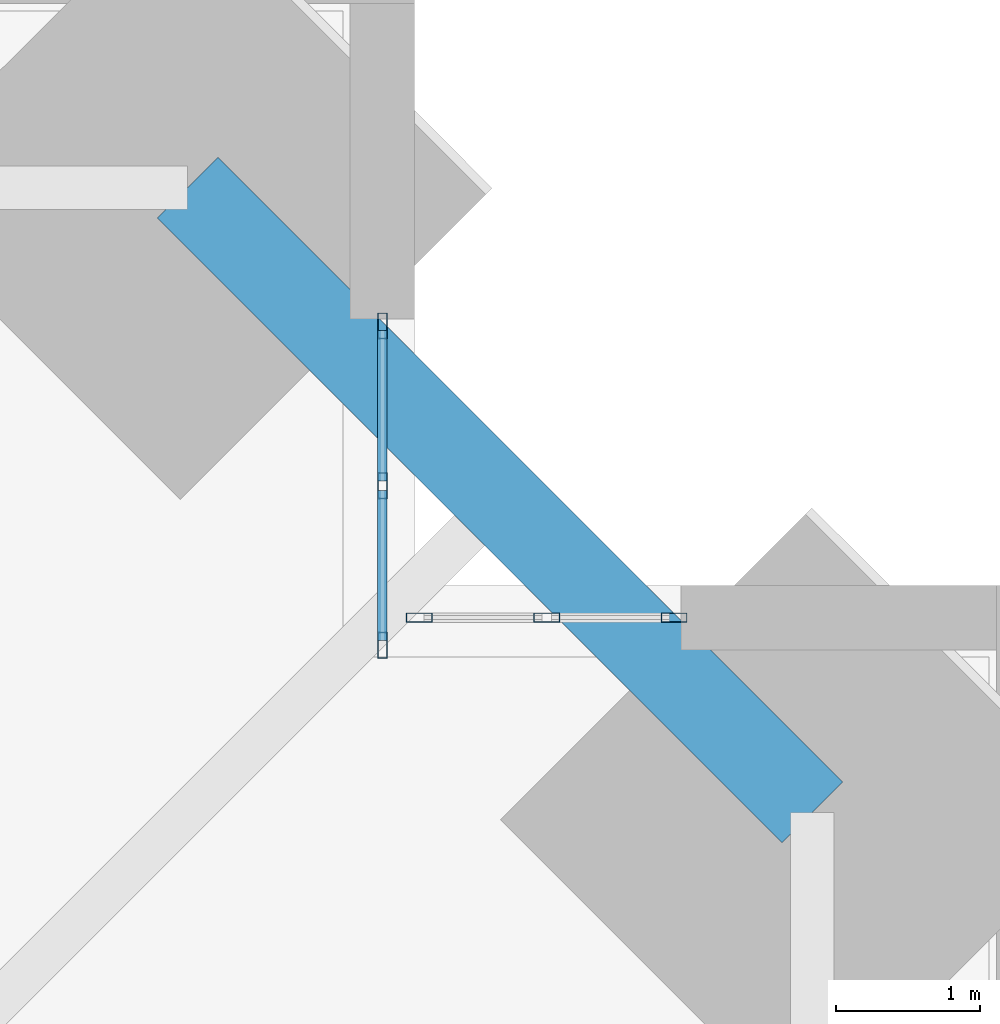
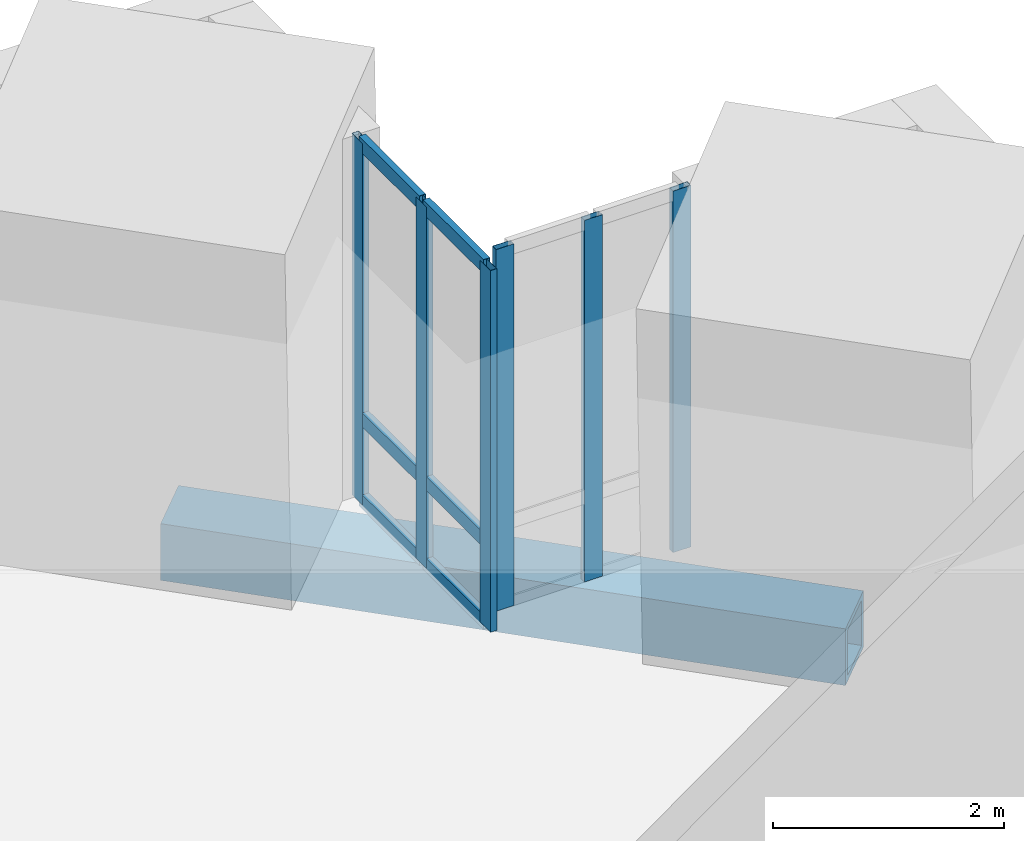
# One storey, part 8 of 15: 12 members, 1 beam, 2 elements without a shape of their own.
"""IFC4 building model written with IfcOpenShell, lengths in metres."""

from ifc_helpers import new_model, si_unit, direction, frame, origin, origin_2d, place, context, subcontext, project, spatial, hollow_rectangle, extrude, material, material_profile, profile_set, type_object, element, aggregate, save


model = new_model("IFC4")

# Units and contexts
model_context = context("Model", 3, precision=1e-05, world=origin(), true_north=direction((0.0, 1.0)))
body_context = subcontext(model_context, "Body", "Model", "MODEL_VIEW")
ifc_project = project(units=[si_unit("LENGTHUNIT", "METRE"), si_unit("AREAUNIT", "SQUARE_METRE"), si_unit("VOLUMEUNIT", "CUBIC_METRE"), si_unit("PLANEANGLEUNIT", "RADIAN"), si_unit("MASSUNIT", "GRAM", prefix="KILO")], contexts=[model_context])

# Site, building, storey
site_placement = place(None, origin())
site = spatial("IfcSite", under=ifc_project, at=site_placement, CompositionType="ELEMENT")
building_placement = place(site_placement, origin())
building = spatial("IfcBuilding", under=site, at=building_placement, Name="Peilmerk Tower", CompositionType="ELEMENT")
storey_placement = place(building_placement, frame((0.0, 0.0, 233.800048828125)))
storey = spatial("IfcBuildingStorey", under=building, at=storey_placement, Name="L51", CompositionType="ELEMENT", Elevation=233.800048828125)

# Beam
ifc_material_1 = material(Name="Steel S460", Category="steel")
ifc_material_profile_1 = material_profile(ifc_material_1, hollow_rectangle(XDim=0.60009765625, YDim=0.60009765625, WallThickness=0.06005859375, at=origin_2d()), Name="BOX 600x600x60")
ifc_profile_set_1 = profile_set([ifc_material_profile_1], Name="Steel S460")
beam_type = type_object("IfcBeamType", Name="B20 BOX 600x600x60 notch beam", PredefinedType="SPANDREL", material=ifc_profile_set_1)
beam_placement = place(storey_placement, frame((17.119384765625, 21.46923828125, -0.469970703125), z_axis=(0.707106781187, -0.707106781187, 0.0), x_axis=(0.707106781187, 0.707106781187, 0.0)))
element("IfcBeam", 1, at=beam_placement, inside=storey, type_object=beam_type, Name="Notch beam L51", PredefinedType="SPANDREL", context=body_context, shape_type="SweptSolid", body=[
    extrude(hollow_rectangle(XDim=0.60009765625, YDim=0.60009765625, WallThickness=0.06005859375, at=origin_2d()), origin(), (0.0, 0.0, 1.0), 6.151611328125),
])

# Curtain wall, members
ifc_material_2 = material(Name="Aluminium stick curtain wall", Category="aluminium")
curtain_wall_type = type_object("IfcCurtainWallType", Name="CW4 stick curtain wall, 2250 module", PredefinedType="NOTDEFINED", material=ifc_material_2)
curtain_wall_1_placement = place(storey_placement, origin())
curtain_wall_1 = element("IfcCurtainWall", 2, at=curtain_wall_1_placement, inside=storey, type_object=curtain_wall_type, Name="Curtain wall CW4 NEA L51", PredefinedType="NOTDEFINED")
ifc_material_3 = material(Name="Aluminium EN AW-6063 T6", Category="aluminium")
ifc_material_profile_2 = material_profile(ifc_material_3, hollow_rectangle(XDim=0.06494140625, YDim=0.179931640625, WallThickness=0.0029296875, at=origin_2d()), Name="AL 180x65x3")
ifc_profile_set_2 = profile_set([ifc_material_profile_2], Name="Aluminium EN AW-6063 T6")
member_type_1 = type_object("IfcMemberType", Name="CW4-M AL 180x65x3 mullion", PredefinedType="MULLION", material=ifc_profile_set_2)
member_1_placement = place(storey_placement, frame((18.47509765625, 18.282470703125, 0.0), z_axis=(0.0, 0.0, 1.0), x_axis=(-1.0, 0.0, 0.0)))
member_1 = element("IfcMember", 3, at=member_1_placement, type_object=member_type_1, Name="CW4 mullion 1", PredefinedType="MULLION", context=body_context, shape_type="SweptSolid", body=[
    extrude(hollow_rectangle(XDim=0.06494140625, YDim=0.179931640625, WallThickness=0.0029296875, at=origin_2d()), origin(), (0.0, 0.0, 1.0), 3.829833984375),
])
member_2_placement = place(storey_placement, frame((18.47509765625, 19.394287109375, 0.0), z_axis=(0.0, 0.0, 1.0), x_axis=(-1.0, 0.0, 0.0)))
member_2 = element("IfcMember", 4, at=member_2_placement, type_object=member_type_1, Name="CW4 mullion 2", PredefinedType="MULLION", context=body_context, shape_type="SweptSolid", body=[
    extrude(hollow_rectangle(XDim=0.06494140625, YDim=0.179931640625, WallThickness=0.0029296875, at=origin_2d()), origin(), (0.0, 0.0, 1.0), 3.829833984375),
])
member_3_placement = place(storey_placement, frame((18.47509765625, 20.506103515625, 0.0), z_axis=(0.0, 0.0, 1.0), x_axis=(-1.0, 0.0, 0.0)))
member_3 = element("IfcMember", 5, at=member_3_placement, type_object=member_type_1, Name="CW4 mullion 3", PredefinedType="MULLION", context=body_context, shape_type="SweptSolid", body=[
    extrude(hollow_rectangle(XDim=0.06494140625, YDim=0.179931640625, WallThickness=0.0029296875, at=origin_2d()), origin(), (0.0, 0.0, 1.0), 3.829833984375),
])

curtain_wall_2_placement = place(storey_placement, origin())
curtain_wall_2 = element("IfcCurtainWall", 6, at=curtain_wall_2_placement, inside=storey, type_object=curtain_wall_type, Name="Curtain wall CW4 NEB L51", PredefinedType="NOTDEFINED")
member_4_placement = place(storey_placement, frame((18.732421875, 18.47509765625, 0.0), z_axis=(0.0, 0.0, 1.0), x_axis=(0.0, 1.0, 0.0)))
member_4 = element("IfcMember", 7, at=member_4_placement, type_object=member_type_1, Name="CW4 mullion 1", PredefinedType="MULLION", context=body_context, shape_type="SweptSolid", body=[
    extrude(hollow_rectangle(XDim=0.06494140625, YDim=0.179931640625, WallThickness=0.0029296875, at=origin_2d()), origin(), (0.0, 0.0, 1.0), 3.829833984375),
])
member_5_placement = place(storey_placement, frame((19.619384765625, 18.47509765625, 0.0), z_axis=(0.0, 0.0, 1.0), x_axis=(0.0, 1.0, 0.0)))
member_5 = element("IfcMember", 8, at=member_5_placement, type_object=member_type_1, Name="CW4 mullion 2", PredefinedType="MULLION", context=body_context, shape_type="SweptSolid", body=[
    extrude(hollow_rectangle(XDim=0.06494140625, YDim=0.179931640625, WallThickness=0.0029296875, at=origin_2d()), origin(), (0.0, 0.0, 1.0), 3.829833984375),
])
member_6_placement = place(storey_placement, frame((20.506103515625, 18.47509765625, 0.0), z_axis=(0.0, 0.0, 1.0), x_axis=(0.0, 1.0, 0.0)))
member_6 = element("IfcMember", 9, at=member_6_placement, type_object=member_type_1, Name="CW4 mullion 3", PredefinedType="MULLION", context=body_context, shape_type="SweptSolid", body=[
    extrude(hollow_rectangle(XDim=0.06494140625, YDim=0.179931640625, WallThickness=0.0029296875, at=origin_2d()), origin(), (0.0, 0.0, 1.0), 3.829833984375),
])
aggregate(curtain_wall_2, [member_4, member_5, member_6])

# Member
ifc_material_profile_3 = material_profile(ifc_material_3, hollow_rectangle(XDim=0.06494140625, YDim=0.14990234375, WallThickness=0.0029296875, at=origin_2d()), Name="AL 150x65x3")
ifc_profile_set_3 = profile_set([ifc_material_profile_3], Name="Aluminium EN AW-6063 T6")
member_type_2 = type_object("IfcMemberType", Name="CW4-T AL 150x65x3 transom", PredefinedType="USERDEFINED", material=ifc_profile_set_3)
member_7_placement = place(storey_placement, frame((18.47509765625, 18.31494140625, 0.032470703125), z_axis=(0.0, 1.0, 0.0), x_axis=(-1.0, 0.0, 0.0)))
member_7 = element("IfcMember", 10, at=member_7_placement, type_object=member_type_2, Name="CW4 transom 1.1", ObjectType="TRANSOM", PredefinedType="USERDEFINED", context=body_context, shape_type="SweptSolid", body=[
    extrude(hollow_rectangle(XDim=0.06494140625, YDim=0.14990234375, WallThickness=0.0029296875, at=origin_2d()), origin(), (0.0, 0.0, 1.0), 1.046875),
])

member_8_placement = place(storey_placement, frame((18.47509765625, 18.31494140625, 0.89990234375), z_axis=(0.0, 1.0, 0.0), x_axis=(-1.0, 0.0, 0.0)))
member_8 = element("IfcMember", 11, at=member_8_placement, type_object=member_type_2, Name="CW4 transom 1.2", ObjectType="TRANSOM", PredefinedType="USERDEFINED", context=body_context, shape_type="SweptSolid", body=[
    extrude(hollow_rectangle(XDim=0.06494140625, YDim=0.14990234375, WallThickness=0.0029296875, at=origin_2d()), origin(), (0.0, 0.0, 1.0), 1.046875),
])

member_9_placement = place(storey_placement, frame((18.47509765625, 18.31494140625, 3.79736328125), z_axis=(0.0, 1.0, 0.0), x_axis=(-1.0, 0.0, 0.0)))
member_9 = element("IfcMember", 12, at=member_9_placement, type_object=member_type_2, Name="CW4 transom 1.3", ObjectType="TRANSOM", PredefinedType="USERDEFINED", context=body_context, shape_type="SweptSolid", body=[
    extrude(hollow_rectangle(XDim=0.06494140625, YDim=0.14990234375, WallThickness=0.0029296875, at=origin_2d()), origin(), (0.0, 0.0, 1.0), 1.046875),
])

member_10_placement = place(storey_placement, frame((18.47509765625, 19.4267578125, 0.032470703125), z_axis=(0.0, 1.0, 0.0), x_axis=(-1.0, 0.0, 0.0)))
member_10 = element("IfcMember", 13, at=member_10_placement, type_object=member_type_2, Name="CW4 transom 2.1", ObjectType="TRANSOM", PredefinedType="USERDEFINED", context=body_context, shape_type="SweptSolid", body=[
    extrude(hollow_rectangle(XDim=0.06494140625, YDim=0.14990234375, WallThickness=0.0029296875, at=origin_2d()), origin(), (0.0, 0.0, 1.0), 1.046875),
])

member_11_placement = place(storey_placement, frame((18.47509765625, 19.4267578125, 0.89990234375), z_axis=(0.0, 1.0, 0.0), x_axis=(-1.0, 0.0, 0.0)))
member_11 = element("IfcMember", 14, at=member_11_placement, type_object=member_type_2, Name="CW4 transom 2.2", ObjectType="TRANSOM", PredefinedType="USERDEFINED", context=body_context, shape_type="SweptSolid", body=[
    extrude(hollow_rectangle(XDim=0.06494140625, YDim=0.14990234375, WallThickness=0.0029296875, at=origin_2d()), origin(), (0.0, 0.0, 1.0), 1.046875),
])

member_12_placement = place(storey_placement, frame((18.47509765625, 19.4267578125, 3.79736328125), z_axis=(0.0, 1.0, 0.0), x_axis=(-1.0, 0.0, 0.0)))
member_12 = element("IfcMember", 15, at=member_12_placement, type_object=member_type_2, Name="CW4 transom 2.3", ObjectType="TRANSOM", PredefinedType="USERDEFINED", context=body_context, shape_type="SweptSolid", body=[
    extrude(hollow_rectangle(XDim=0.06494140625, YDim=0.14990234375, WallThickness=0.0029296875, at=origin_2d()), origin(), (0.0, 0.0, 1.0), 1.046875),
])

aggregate(curtain_wall_1, [member_1, member_2, member_3, member_7, member_8, member_9, member_10, member_11, member_12])

save(model, "model.ifc")
